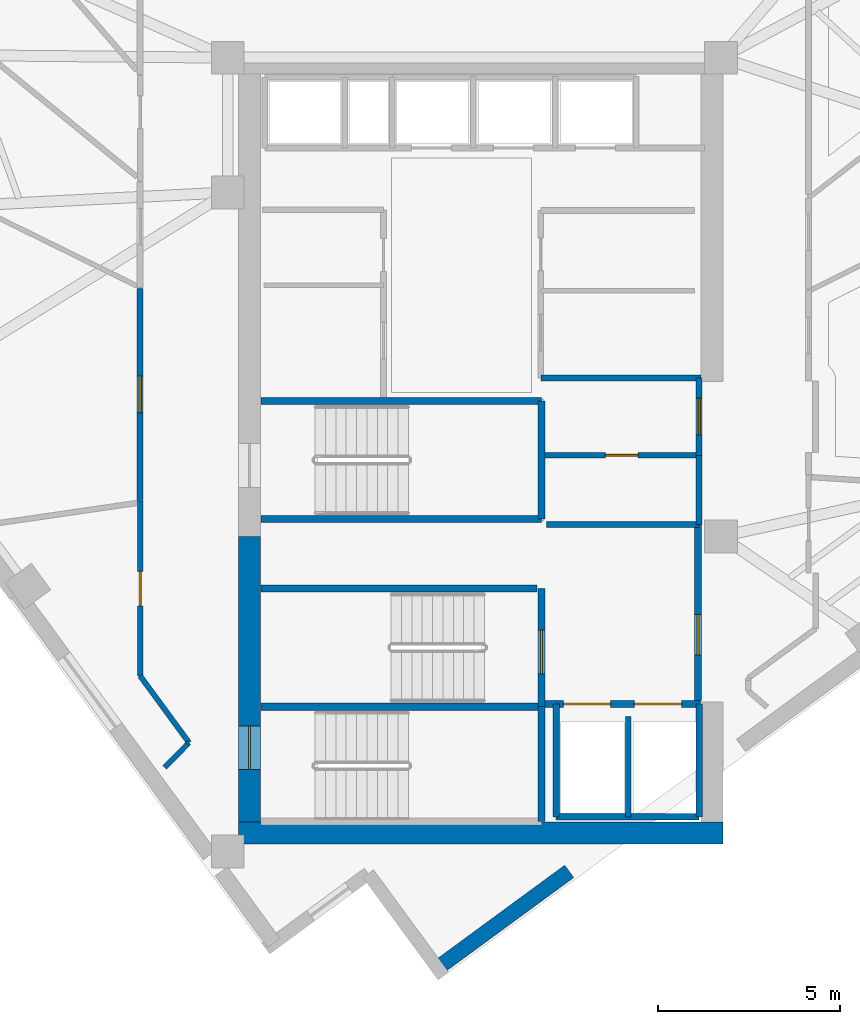
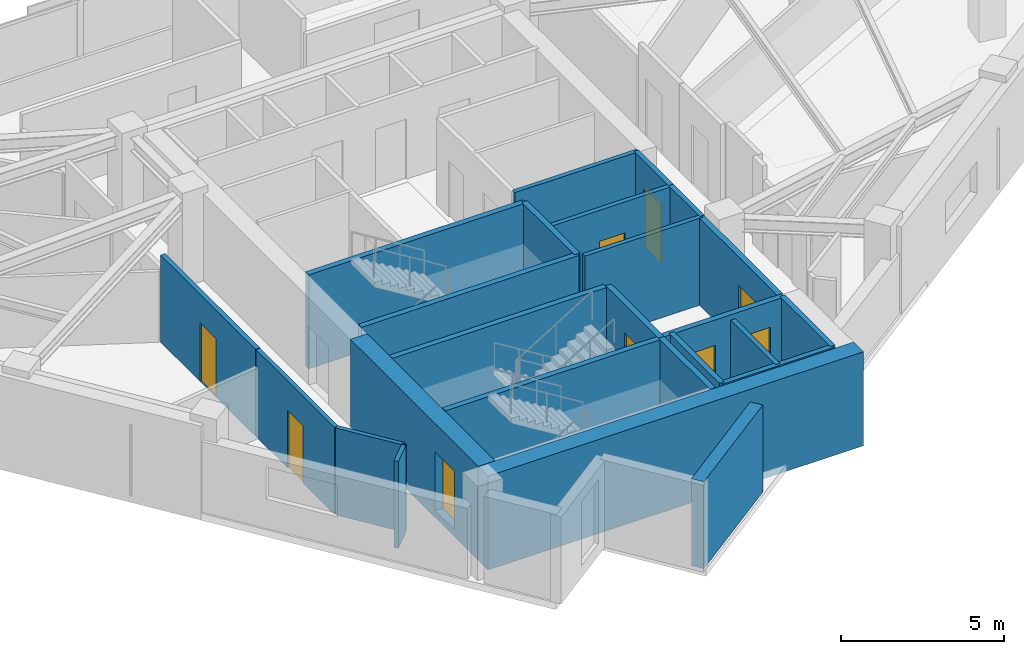
# One storey, part 8 of 13: 26 walls, 9 doors, 9 openings.
"""IFC4 building model written with IfcOpenShell, lengths in metres."""

from ifc_helpers import new_model, si_unit, direction, frame, frame_2d, origin, place, context, subcontext, project, spatial, rectangle, extrude, material, layer, layer_set, type_object, element, fill, save


model = new_model("IFC4")

# Units and contexts
model_context = context("Model", 3, precision=1e-05, world=origin(), true_north=direction((0.0, 1.0)))
body_context = subcontext(model_context, "Body", "Model", "MODEL_VIEW")
ifc_project = project(units=[si_unit("LENGTHUNIT", "METRE"), si_unit("AREAUNIT", "SQUARE_METRE"), si_unit("VOLUMEUNIT", "CUBIC_METRE"), si_unit("PLANEANGLEUNIT", "RADIAN"), si_unit("MASSUNIT", "GRAM", prefix="KILO")], contexts=[model_context])

# Site, building, storey
site_placement = place(None, origin())
site = spatial("IfcSite", under=ifc_project, at=site_placement, CompositionType="ELEMENT")
building_placement = place(site_placement, origin())
building = spatial("IfcBuilding", under=site, at=building_placement, Name="Narakoshi Arena Tower", CompositionType="ELEMENT")
storey_placement = place(building_placement, frame((0.0, 0.0, 243.139892578125)))
storey = spatial("IfcBuildingStorey", under=building, at=storey_placement, Name="L66", CompositionType="ELEMENT", Elevation=243.139892578125)

# Wall, opening, door
ifc_material_1 = material(Name="Concrete C50/60", Category="concrete")
ifc_layer_1 = layer(ifc_material_1, 0.60009765625)
ifc_layer_set_1 = layer_set([ifc_layer_1], Name="Concrete C50/60")
wall_type_1 = type_object("IfcWallType", Name="WL-CORE-600", PredefinedType="SHEAR", material=ifc_layer_set_1)
wall_1_placement = place(storey_placement, frame((72.60009765625, 35.5, -0.260009765625), z_axis=(0.0, 0.0, 1.0), x_axis=(0.0, 1.0, 0.0)))
wall_1 = element("IfcWall", 1, at=wall_1_placement, inside=storey, type_object=wall_type_1, Name="L66 Central Core Shear Wall CW-APX-W", PredefinedType="SHEAR", context=body_context, shape_type="SweptSolid", body=[
    extrude(rectangle(XDim=7.85009765625, YDim=0.60009765625, at=frame_2d((3.925048828125, 0.0))), origin(), (0.0, 0.0, 1.0), 3.52001953125),
])
opening_1_placement = place(wall_1_placement, frame((1.449951171875, 0.0, 0.260009765625)))
opening_1 = element("IfcOpeningElement", 2, at=opening_1_placement, cuts=wall_1, Name="Opening D-03", PredefinedType="OPENING", context=body_context, shape_type="SweptSolid", body=[
    extrude(rectangle(XDim=1.199951171875, YDim=2.199951171875, at=frame_2d((0.60009765625, 1.10009765625))), frame((0.0, 0.31005859375, 0.0), z_axis=(0.0, -1.0, 0.0), x_axis=(1.0, 0.0, 0.0)), (0.0, 0.0, 1.0), 0.6201171875),
])
ifc_material_2 = material(Name="Painted galvanized steel", Category="steel")
door_type_1 = type_object("IfcDoorType", Name="DR-STR-1200", OperationType="NOTDEFINED", PredefinedType="USERDEFINED", material=ifc_material_2)
door_1_placement = place(opening_1_placement, frame((1.199951171875, 0.0, 0.0), z_axis=(0.0, 0.0, 1.0), x_axis=(-1.0, 0.0, 0.0)))
door_1 = element("IfcDoor", 3, at=door_1_placement, inside=storey, type_object=door_type_1, Name="DR-L66-001", ObjectType="EXITDOOR", OperationType="SINGLE_SWING_LEFT", OverallHeight=2.199951171875, OverallWidth=1.199951171875, PredefinedType="USERDEFINED", context=body_context, shape_type="SweptSolid", body=[
    extrude(rectangle(XDim=1.199951171875, YDim=2.199951171875, at=frame_2d((0.60009765625, 1.10009765625))), frame((0.0, 0.02490234375, 0.0), z_axis=(0.0, -1.0, 0.0), x_axis=(1.0, 0.0, 0.0)), (0.0, 0.0, 1.0), 0.050048828125),
])
fill(opening_1, door_1)

# Wall
wall_2_placement = place(storey_placement, frame((72.300048828125, 35.199951171875, -0.260009765625), z_axis=(0.0, 0.0, 1.0), x_axis=(1.0, 0.0, 0.0)))
element("IfcWall", 4, at=wall_2_placement, inside=storey, type_object=wall_type_1, Name="L66 Central Core Shear Wall CW-APX-S", PredefinedType="SHEAR", context=body_context, shape_type="SweptSolid", body=[
    extrude(rectangle(XDim=13.300048828125, YDim=0.60009765625, at=frame_2d((6.64990234375, 0.0))), origin(), (0.0, 0.0, 1.0), 3.52001953125),
])

# Wall, opening, door
ifc_material_3 = material(Name="Gypsum plasterboard fire-rated partition")
ifc_layer_2 = layer(ifc_material_3, 0.1650390625)
ifc_layer_set_2 = layer_set([ifc_layer_2], Name="Gypsum plasterboard fire-rated partition")
wall_type_2 = type_object("IfcWallType", Name="WL-CORR-165", PredefinedType="PARTITIONING", material=ifc_layer_set_2)
wall_3_placement = place(storey_placement, frame((84.949951171875, 45.580078125, 0.0), z_axis=(0.0, 0.0, 1.0), x_axis=(0.0, 1.0, 0.0)))
wall_3 = element("IfcWall", 5, at=wall_3_placement, inside=storey, type_object=wall_type_2, Name="L66 Core Wall CPAS-E", PredefinedType="PARTITIONING", context=body_context, shape_type="SweptSolid", body=[
    extrude(rectangle(XDim=2.119873046875, YDim=0.1650390625, at=frame_2d((1.06005859375, 0.0))), origin(), (0.0, 0.0, 1.0), 3.260009765625),
])
opening_2_placement = place(wall_3_placement, frame((0.56005859375, 0.0, 0.0)))
opening_2 = element("IfcOpeningElement", 6, at=opening_2_placement, cuts=wall_3, Name="Opening D-06", PredefinedType="OPENING", context=body_context, shape_type="SweptSolid", body=[
    extrude(rectangle(XDim=1.0, YDim=2.199951171875, at=frame_2d((0.5, 1.10009765625))), frame((0.0, 0.092529296875, 0.0), z_axis=(0.0, -1.0, 0.0), x_axis=(1.0, 0.0, 0.0)), (0.0, 0.0, 1.0), 0.18505859375),
])
ifc_material_4 = material(Name="Stained oak solid-core timber", Category="wood")
door_type_2 = type_object("IfcDoorType", Name="DR-OFF-1000", OperationType="NOTDEFINED", PredefinedType="DOOR", material=ifc_material_4)
door_2_placement = place(opening_2_placement, frame((1.0, 0.0, 0.0), z_axis=(0.0, 0.0, 1.0), x_axis=(-1.0, 0.0, 0.0)))
door_2 = element("IfcDoor", 7, at=door_2_placement, inside=storey, type_object=door_type_2, Name="DR-L66-007", OperationType="SINGLE_SWING_LEFT", OverallHeight=2.199951171875, OverallWidth=1.0, PredefinedType="DOOR", context=body_context, shape_type="SweptSolid", body=[
    extrude(rectangle(XDim=1.0, YDim=2.199951171875, at=frame_2d((0.5, 1.10009765625))), frame((0.0, 0.02490234375, 0.0), z_axis=(0.0, -1.0, 0.0), x_axis=(1.0, 0.0, 0.0)), (0.0, 0.0, 1.0), 0.050048828125),
])
fill(opening_2, door_2)

wall_4_placement = place(storey_placement, frame((69.594482421875, 50.16064453125, 0.0), z_axis=(0.0, 0.0, 1.0), x_axis=(0.0, -1.0, 0.0)))
wall_4 = element("IfcWall", 8, at=wall_4_placement, inside=storey, type_object=wall_type_2, Name="L66 Corridor Partition 09-1", PredefinedType="PARTITIONING", context=body_context, shape_type="SweptSolid", body=[
    extrude(rectangle(XDim=5.817626953125, YDim=0.1650390625, at=frame_2d((2.90869140625, 0.0))), origin(), (0.0, 0.0, 1.0), 3.260009765625),
])
opening_3_placement = place(wall_4_placement, frame((2.408935546875, 0.0, 0.0)))
opening_3 = element("IfcOpeningElement", 9, at=opening_3_placement, cuts=wall_4, Name="Opening D-06", PredefinedType="OPENING", context=body_context, shape_type="SweptSolid", body=[
    extrude(rectangle(XDim=1.0, YDim=2.199951171875, at=frame_2d((0.5, 1.10009765625))), frame((0.0, 0.092529296875, 0.0), z_axis=(0.0, -1.0, 0.0), x_axis=(1.0, 0.0, 0.0)), (0.0, 0.0, 1.0), 0.18505859375),
])
door_3_placement = place(opening_3_placement, frame((1.0, 0.0, 0.0), z_axis=(0.0, 0.0, 1.0), x_axis=(-1.0, 0.0, 0.0)))
door_3 = element("IfcDoor", 10, at=door_3_placement, inside=storey, type_object=door_type_2, Name="DR-L66-024", OperationType="SINGLE_SWING_RIGHT", OverallHeight=2.199951171875, OverallWidth=1.0, PredefinedType="DOOR", context=body_context, shape_type="SweptSolid", body=[
    extrude(rectangle(XDim=1.0, YDim=2.199951171875, at=frame_2d((0.5, 1.10009765625))), frame((0.0, 0.02490234375, 0.0), z_axis=(0.0, -1.0, 0.0), x_axis=(1.0, 0.0, 0.0)), (0.0, 0.0, 1.0), 0.050048828125),
])
fill(opening_3, door_3)

# Walls
ifc_material_5 = material(Name="Precast concrete C45/55", Category="concrete")
ifc_layer_3 = layer(ifc_material_5, 0.419921875)
ifc_layer_set_3 = layer_set([ifc_layer_3], Name="Precast concrete C45/55")
wall_type_3 = type_object("IfcWallType", Name="WL-POD-420", PredefinedType="SOLIDWALL", material=ifc_layer_set_3)
wall_5_placement = place(storey_placement, frame((77.760009765625, 31.4951171875, 0.0), z_axis=(0.0, 0.0, 1.0), x_axis=(0.806458583304, 0.591290582891, 0.0)))
element("IfcWall", 11, at=wall_5_placement, inside=storey, type_object=wall_type_3, Name="L66 Architectural Concrete Facade Wall LEGA-1", PredefinedType="SOLIDWALL", context=body_context, shape_type="SweptSolid", body=[
    extrude(rectangle(XDim=4.48974609375, YDim=0.419921875, at=frame_2d((2.244873046875, 0.0))), origin(), (0.0, 0.0, 1.0), 3.260009765625),
])
ifc_material_6 = material(Name="Concrete C40/50", Category="concrete")
ifc_layer_4 = layer(ifc_material_6, 0.280029296875)
ifc_layer_set_4 = layer_set([ifc_layer_4], Name="Concrete C40/50")
wall_type_4 = type_object("IfcWallType", Name="WL-RISER-280", PredefinedType="PLUMBINGWALL", material=ifc_layer_set_4)
wall_6_placement = place(storey_placement, frame((83.0, 35.64990234375, 0.0), z_axis=(0.0, 0.0, 1.0), x_axis=(0.0, 1.0, 0.0)))
element("IfcWall", 12, at=wall_6_placement, inside=storey, type_object=wall_type_4, Name="L66 Core Wall FF-DIV", PredefinedType="PLUMBINGWALL", context=body_context, shape_type="SweptSolid", body=[
    extrude(rectangle(XDim=2.75, YDim=0.159912109375, at=frame_2d((1.375, 0.0))), origin(), (0.0, 0.0, 1.0), 3.260009765625),
])
wall_7_placement = place(storey_placement, frame((84.949951171875, 43.679931640625, 0.0), z_axis=(0.0, 0.0, 1.0), x_axis=(0.0, 1.0, 0.0)))
element("IfcWall", 13, at=wall_7_placement, inside=storey, type_object=wall_type_4, Name="L66 Core Wall RSR-E", PredefinedType="PLUMBINGWALL", context=body_context, shape_type="SweptSolid", body=[
    extrude(rectangle(XDim=1.900146484375, YDim=0.1650390625, at=frame_2d((0.9501953125, 0.0))), origin(), (0.0, 0.0, 1.0), 3.260009765625),
])

# Wall, opening, door
wall_8_placement = place(storey_placement, frame((80.719970703125, 45.580078125, 0.0), z_axis=(0.0, 0.0, 1.0), x_axis=(1.0, 0.0, 0.0)))
wall_8 = element("IfcWall", 14, at=wall_8_placement, inside=storey, type_object=wall_type_4, Name="L66 Core Wall RSR-N", PredefinedType="PLUMBINGWALL", context=body_context, shape_type="SweptSolid", body=[
    extrude(rectangle(XDim=4.22998046875, YDim=0.159912109375, at=frame_2d((2.114990234375, 0.0))), origin(), (0.0, 0.0, 1.0), 3.260009765625),
])
opening_4_placement = place(wall_8_placement, frame((1.64990234375, 0.0, 0.0)))
opening_4 = element("IfcOpeningElement", 15, at=opening_4_placement, cuts=wall_8, Name="Opening D-08", PredefinedType="OPENING", context=body_context, shape_type="SweptSolid", body=[
    extrude(rectangle(XDim=0.89990234375, YDim=2.10009765625, at=frame_2d((0.449951171875, 1.050048828125))), frame((0.0, 0.08984375, 0.0), z_axis=(0.0, -1.0, 0.0), x_axis=(1.0, 0.0, 0.0)), (0.0, 0.0, 1.0), 0.179931640625),
])
ifc_material_7 = material(Name="Moisture-resistant laminate timber", Category="wood")
door_type_3 = type_object("IfcDoorType", Name="DR-WC-900", OperationType="NOTDEFINED", PredefinedType="DOOR", material=ifc_material_7)
door_4_placement = place(opening_4_placement, frame((0.89990234375, 0.0, 0.0), z_axis=(0.0, 0.0, 1.0), x_axis=(-1.0, 0.0, 0.0)))
door_4 = element("IfcDoor", 16, at=door_4_placement, inside=storey, type_object=door_type_3, Name="DR-L66-008", OperationType="SINGLE_SWING_LEFT", OverallHeight=2.10009765625, OverallWidth=0.89990234375, PredefinedType="DOOR", context=body_context, shape_type="SweptSolid", body=[
    extrude(rectangle(XDim=0.89990234375, YDim=2.10009765625, at=frame_2d((0.449951171875, 1.050048828125))), frame((0.0, 0.02490234375, 0.0), z_axis=(0.0, -1.0, 0.0), x_axis=(1.0, 0.0, 0.0)), (0.0, 0.0, 1.0), 0.050048828125),
])
fill(opening_4, door_4)

# Walls
wall_9_placement = place(storey_placement, frame((80.760009765625, 43.679931640625, 0.0), z_axis=(0.0, 0.0, 1.0), x_axis=(1.0, 0.0, 0.0)))
element("IfcWall", 17, at=wall_9_placement, inside=storey, type_object=wall_type_4, Name="L66 Core Wall RSR-S", PredefinedType="PLUMBINGWALL", context=body_context, shape_type="SweptSolid", body=[
    extrude(rectangle(XDim=4.18994140625, YDim=0.159912109375, at=frame_2d((2.094970703125, 0.0))), origin(), (0.0, 0.0, 1.0), 3.260009765625),
])
ifc_layer_5 = layer(ifc_material_1, 0.35009765625)
ifc_layer_set_5 = layer_set([ifc_layer_5], Name="Concrete C50/60")
wall_type_5 = type_object("IfcWallType", Name="WL-SHAFT-350", PredefinedType="SOLIDWALL", material=ifc_layer_set_5)
wall_10_placement = place(storey_placement, frame((72.919921875, 38.675048828125, -0.260009765625), z_axis=(0.0, 0.0, 1.0), x_axis=(1.0, 0.0, 0.0)))
element("IfcWall", 18, at=wall_10_placement, inside=storey, type_object=wall_type_5, Name="L66 Core Wall ST12-DIV", PredefinedType="SOLIDWALL", context=body_context, shape_type="SweptSolid", body=[
    extrude(rectangle(XDim=7.7001953125, YDim=0.199951171875, at=frame_2d((3.85009765625, 0.0))), origin(), (0.0, 0.0, 1.0), 3.52001953125),
])
wall_11_placement = place(storey_placement, frame((80.6201171875, 35.52001953125, -0.260009765625), z_axis=(0.0, 0.0, 1.0), x_axis=(0.0, 1.0, 0.0)))
element("IfcWall", 19, at=wall_11_placement, inside=storey, type_object=wall_type_5, Name="L66 Core Wall ST1-E", PredefinedType="SOLIDWALL", context=body_context, shape_type="SweptSolid", body=[
    extrude(rectangle(XDim=3.155029296875, YDim=0.199951171875, at=frame_2d((1.57763671875, 0.0))), origin(), (0.0, 0.0, 1.0), 3.52001953125),
])

# Wall, opening, door
wall_12_placement = place(storey_placement, frame((80.6201171875, 38.675048828125, -0.260009765625), z_axis=(0.0, 0.0, 1.0), x_axis=(0.0, 1.0, 0.0)))
wall_12 = element("IfcWall", 20, at=wall_12_placement, inside=storey, type_object=wall_type_5, Name="L66 Core Wall ST2-E", PredefinedType="SOLIDWALL", context=body_context, shape_type="SweptSolid", body=[
    extrude(rectangle(XDim=3.244873046875, YDim=0.199951171875, at=frame_2d((1.62255859375, 0.0))), origin(), (0.0, 0.0, 1.0), 3.52001953125),
])
opening_5_placement = place(wall_12_placement, frame((0.89990234375, 0.0, 0.260009765625)))
opening_5 = element("IfcOpeningElement", 21, at=opening_5_placement, cuts=wall_12, Name="Opening D-03", PredefinedType="OPENING", context=body_context, shape_type="SweptSolid", body=[
    extrude(rectangle(XDim=1.199951171875, YDim=2.199951171875, at=frame_2d((0.60009765625, 1.10009765625))), frame((0.0, 0.10986328125, 0.0), z_axis=(0.0, -1.0, 0.0), x_axis=(1.0, 0.0, 0.0)), (0.0, 0.0, 1.0), 0.219970703125),
])
door_5_placement = place(opening_5_placement, origin())
door_5 = element("IfcDoor", 22, at=door_5_placement, inside=storey, type_object=door_type_1, Name="DR-L66-002", ObjectType="EXITDOOR", OperationType="SINGLE_SWING_RIGHT", OverallHeight=2.199951171875, OverallWidth=1.199951171875, PredefinedType="USERDEFINED", context=body_context, shape_type="SweptSolid", body=[
    extrude(rectangle(XDim=1.199951171875, YDim=2.199951171875, at=frame_2d((0.60009765625, 1.10009765625))), frame((0.0, 0.02490234375, 0.0), z_axis=(0.0, -1.0, 0.0), x_axis=(1.0, 0.0, 0.0)), (0.0, 0.0, 1.0), 0.050048828125),
])
fill(opening_5, door_5)

# Wall, openings, doors
wall_13_placement = place(storey_placement, frame((80.719970703125, 38.75, 0.0), z_axis=(0.0, 0.0, 1.0), x_axis=(1.0, 0.0, 0.0)))
wall_13 = element("IfcWall", 23, at=wall_13_placement, inside=storey, type_object=wall_type_5, Name="L66 Core Wall FF-N", PredefinedType="SOLIDWALL", context=body_context, shape_type="SweptSolid", body=[
    extrude(rectangle(XDim=4.260009765625, YDim=0.199951171875, at=frame_2d((2.1298828125, 0.0))), origin(), (0.0, 0.0, 1.0), 3.260009765625),
])
opening_6_placement = place(wall_13_placement, frame((0.5, 0.0, 0.0)))
opening_6 = element("IfcOpeningElement", 24, at=opening_6_placement, cuts=wall_13, Name="Opening LD-02", PredefinedType="OPENING", context=body_context, shape_type="SweptSolid", body=[
    extrude(rectangle(XDim=1.300048828125, YDim=2.300048828125, at=frame_2d((0.64990234375, 1.14990234375))), frame((0.0, 0.10986328125, 0.0), z_axis=(0.0, -1.0, 0.0), x_axis=(1.0, 0.0, 0.0)), (0.0, 0.0, 1.0), 0.219970703125),
])
opening_7_placement = place(wall_13_placement, frame((2.449951171875, 0.0, 0.0)))
opening_7 = element("IfcOpeningElement", 25, at=opening_7_placement, cuts=wall_13, Name="Opening LD-02", PredefinedType="OPENING", context=body_context, shape_type="SweptSolid", body=[
    extrude(rectangle(XDim=1.300048828125, YDim=2.300048828125, at=frame_2d((0.64990234375, 1.14990234375))), frame((0.0, 0.10986328125, 0.0), z_axis=(0.0, -1.0, 0.0), x_axis=(1.0, 0.0, 0.0)), (0.0, 0.0, 1.0), 0.219970703125),
])
ifc_material_8 = material(Name="Brushed bronze stainless steel", Category="steel")
door_type_4 = type_object("IfcDoorType", Name="DR-LFT-1300", OperationType="DOUBLE_DOOR_SLIDING", PredefinedType="DOOR", material=ifc_material_8)
door_6_placement = place(opening_6_placement, origin())
door_6 = element("IfcDoor", 26, at=door_6_placement, inside=storey, type_object=door_type_4, Name="DR-L66-003", OperationType="DOUBLE_DOOR_SLIDING", OverallHeight=2.300048828125, OverallWidth=1.300048828125, PredefinedType="DOOR", context=body_context, shape_type="SweptSolid", body=[
    extrude(rectangle(XDim=1.300048828125, YDim=2.300048828125, at=frame_2d((0.64990234375, 1.14990234375))), frame((0.0, 0.02490234375, 0.0), z_axis=(0.0, -1.0, 0.0), x_axis=(1.0, 0.0, 0.0)), (0.0, 0.0, 1.0), 0.050048828125),
])
fill(opening_6, door_6)
door_7_placement = place(opening_7_placement, origin())
door_7 = element("IfcDoor", 27, at=door_7_placement, inside=storey, type_object=door_type_4, Name="DR-L66-004", OperationType="DOUBLE_DOOR_SLIDING", OverallHeight=2.300048828125, OverallWidth=1.300048828125, PredefinedType="DOOR", context=body_context, shape_type="SweptSolid", body=[
    extrude(rectangle(XDim=1.300048828125, YDim=2.300048828125, at=frame_2d((0.64990234375, 1.14990234375))), frame((0.0, 0.02490234375, 0.0), z_axis=(0.0, -1.0, 0.0), x_axis=(1.0, 0.0, 0.0)), (0.0, 0.0, 1.0), 0.050048828125),
])
fill(opening_7, door_7)

# Walls
for number, where, z_axis, x_axis, name in (
    (28, (84.949951171875, 35.64990234375, 0.0), (0.0, 0.0, 1.0), (0.0, 1.0, 0.0), "L66 Core Wall FF-E"),
    (29, (81.02001953125, 35.64990234375, 0.0), (0.0, 0.0, 1.0), (0.0, 1.0, 0.0), "L66 Core Wall FF-W"),
):
    element("IfcWall", number, at=place(storey_placement, frame(where, z_axis=z_axis, x_axis=x_axis)), inside=storey, type_object=wall_type_5, Name=name, PredefinedType="SOLIDWALL", context=body_context, shape_type="SweptSolid", body=[
        extrude(rectangle(XDim=3.10009765625, YDim=0.179931640625, at=frame_2d((1.550048828125, 0.0))), origin(), (0.0, 0.0, 1.0), 3.260009765625),
    ])
wall_14_placement = place(storey_placement, frame((81.02001953125, 35.64990234375, 0.0), z_axis=(0.0, 0.0, 1.0), x_axis=(1.0, 0.0, 0.0)))
element("IfcWall", 30, at=wall_14_placement, inside=storey, type_object=wall_type_5, Name="L66 Core Wall FF-S", PredefinedType="SOLIDWALL", context=body_context, shape_type="SweptSolid", body=[
    extrude(rectangle(XDim=3.929931640625, YDim=0.179931640625, at=frame_2d((1.96484375, 0.0))), origin(), (0.0, 0.0, 1.0), 3.260009765625),
])

# Wall, opening, door
wall_15_placement = place(storey_placement, frame((84.919921875, 38.85009765625, 0.0), z_axis=(0.0, 0.0, 1.0), x_axis=(0.0, 1.0, 0.0)))
wall_15 = element("IfcWall", 31, at=wall_15_placement, inside=storey, type_object=wall_type_5, Name="L66 Core Wall FFLOB-E", PredefinedType="SOLIDWALL", context=body_context, shape_type="SweptSolid", body=[
    extrude(rectangle(XDim=4.829833984375, YDim=0.199951171875, at=frame_2d((2.4150390625, 0.0))), origin(), (0.0, 0.0, 1.0), 3.260009765625),
])
opening_8_placement = place(wall_15_placement, frame((1.25, 0.0, 0.0)))
opening_8 = element("IfcOpeningElement", 32, at=opening_8_placement, cuts=wall_15, Name="Opening D-04", PredefinedType="OPENING", context=body_context, shape_type="SweptSolid", body=[
    extrude(rectangle(XDim=1.10009765625, YDim=2.199951171875, at=frame_2d((0.550048828125, 1.10009765625))), frame((0.0, 0.10986328125, 0.0), z_axis=(0.0, -1.0, 0.0), x_axis=(1.0, 0.0, 0.0)), (0.0, 0.0, 1.0), 0.219970703125),
])
door_type_5 = type_object("IfcDoorType", Name="DR-FFL-1100", OperationType="NOTDEFINED", PredefinedType="DOOR", material=ifc_material_2)
door_8_placement = place(opening_8_placement, frame((1.10009765625, 0.0, 0.0), z_axis=(0.0, 0.0, 1.0), x_axis=(-1.0, 0.0, 0.0)))
door_8 = element("IfcDoor", 33, at=door_8_placement, inside=storey, type_object=door_type_5, Name="DR-L66-005", OperationType="SINGLE_SWING_RIGHT", OverallHeight=2.199951171875, OverallWidth=1.10009765625, PredefinedType="DOOR", context=body_context, shape_type="SweptSolid", body=[
    extrude(rectangle(XDim=1.10009765625, YDim=2.199951171875, at=frame_2d((0.550048828125, 1.10009765625))), frame((0.0, 0.02490234375, 0.0), z_axis=(0.0, -1.0, 0.0), x_axis=(1.0, 0.0, 0.0)), (0.0, 0.0, 1.0), 0.050048828125),
])
fill(opening_8, door_8)

# Walls
wall_16_placement = place(storey_placement, frame((72.919921875, 41.919921875, -0.260009765625), z_axis=(0.0, 0.0, 1.0), x_axis=(1.0, 0.0, 0.0)))
element("IfcWall", 34, at=wall_16_placement, inside=storey, type_object=wall_type_5, Name="L66 Core Wall ST2-N", PredefinedType="SOLIDWALL", context=body_context, shape_type="SweptSolid", body=[
    extrude(rectangle(XDim=7.580078125, YDim=0.199951171875, at=frame_2d((3.7900390625, 0.0))), origin(), (0.0, 0.0, 1.0), 3.52001953125),
])
for number, where, z_axis, x_axis, name in (
    (35, (72.919921875, 43.830078125, -0.260009765625), (0.0, 0.0, 1.0), (1.0, 0.0, 0.0), "L66 Core Wall ST3-S"),
    (36, (72.919921875, 47.070068359375, -0.260009765625), (0.0, 0.0, 1.0), (1.0, 0.0, 0.0), "L66 Core Wall ST3-N"),
):
    element("IfcWall", number, at=place(storey_placement, frame(where, z_axis=z_axis, x_axis=x_axis)), inside=storey, type_object=wall_type_5, Name=name, PredefinedType="SOLIDWALL", context=body_context, shape_type="SweptSolid", body=[
        extrude(rectangle(XDim=7.7001953125, YDim=0.199951171875, at=frame_2d((3.85009765625, 0.0))), origin(), (0.0, 0.0, 1.0), 3.52001953125),
    ])
wall_17_placement = place(storey_placement, frame((80.6201171875, 43.830078125, -0.260009765625), z_axis=(0.0, 0.0, 1.0), x_axis=(0.0, 1.0, 0.0)))
element("IfcWall", 37, at=wall_17_placement, inside=storey, type_object=wall_type_5, Name="L66 Core Wall ST3-E", PredefinedType="SOLIDWALL", context=body_context, shape_type="SweptSolid", body=[
    extrude(rectangle(XDim=3.239990234375, YDim=0.199951171875, at=frame_2d((1.6201171875, 0.0))), origin(), (0.0, 0.0, 1.0), 3.52001953125),
])
wall_18_placement = place(storey_placement, frame((80.60009765625, 47.699951171875, 0.0), z_axis=(0.0, 0.0, 1.0), x_axis=(1.0, 0.0, 0.0)))
element("IfcWall", 38, at=wall_18_placement, inside=storey, type_object=wall_type_5, Name="L66 Core Wall MR-S", PredefinedType="SOLIDWALL", context=body_context, shape_type="SweptSolid", body=[
    extrude(rectangle(XDim=4.39990234375, YDim=0.159912109375, at=frame_2d((2.199951171875, 0.0))), origin(), (0.0, 0.0, 1.0), 3.260009765625),
])

# Wall, opening, door
ifc_material_9 = material(Name="Moisture-resistant cement-board partition")
ifc_layer_6 = layer(ifc_material_9, 0.14501953125)
ifc_layer_set_6 = layer_set([ifc_layer_6], Name="Moisture-resistant cement-board partition")
wall_type_6 = type_object("IfcWallType", Name="WL-WET-145", PredefinedType="PARTITIONING", material=ifc_layer_set_6)
wall_19_placement = place(storey_placement, frame((69.594482421875, 44.318603515625, 0.0), z_axis=(0.0, 0.0, 1.0), x_axis=(0.0, -1.0, 0.0)))
wall_19 = element("IfcWall", 39, at=wall_19_placement, inside=storey, type_object=wall_type_6, Name="L66 Corridor Partition 01-1", PredefinedType="PARTITIONING", context=body_context, shape_type="SweptSolid", body=[
    extrude(rectangle(XDim=4.799560546875, YDim=0.14501953125, at=frame_2d((2.39990234375, 0.0))), origin(), (0.0, 0.0, 1.0), 3.260009765625),
])
opening_9_placement = place(wall_19_placement, frame((1.9248046875, 0.0, 0.0)))
opening_9 = element("IfcOpeningElement", 40, at=opening_9_placement, cuts=wall_19, Name="Opening D-07", PredefinedType="OPENING", context=body_context, shape_type="SweptSolid", body=[
    extrude(rectangle(XDim=0.949951171875, YDim=2.14990234375, at=frame_2d((0.47509765625, 1.074951171875))), frame((0.0, 0.08251953125, 0.0), z_axis=(0.0, -1.0, 0.0), x_axis=(1.0, 0.0, 0.0)), (0.0, 0.0, 1.0), 0.1650390625),
])
door_type_6 = type_object("IfcDoorType", Name="DR-ACC-950", OperationType="NOTDEFINED", PredefinedType="DOOR", material=ifc_material_4)
door_9_placement = place(opening_9_placement, frame((0.949951171875, 0.0, 0.0), z_axis=(0.0, 0.0, 1.0), x_axis=(-1.0, 0.0, 0.0)))
door_9 = element("IfcDoor", 41, at=door_9_placement, inside=storey, type_object=door_type_6, Name="DR-L66-016", OperationType="SINGLE_SWING_LEFT", OverallHeight=2.14990234375, OverallWidth=0.949951171875, PredefinedType="DOOR", context=body_context, shape_type="SweptSolid", body=[
    extrude(rectangle(XDim=0.949951171875, YDim=2.14990234375, at=frame_2d((0.47509765625, 1.074951171875))), frame((0.0, 0.02490234375, 0.0), z_axis=(0.0, -1.0, 0.0), x_axis=(1.0, 0.0, 0.0)), (0.0, 0.0, 1.0), 0.050048828125),
])
fill(opening_9, door_9)

# Walls
wall_20_placement = place(storey_placement, frame((69.594482421875, 39.51904296875, 0.0), z_axis=(0.0, 0.0, 1.0), x_axis=(0.591405579401, -0.806374255946, 0.0)))
element("IfcWall", 42, at=wall_20_placement, inside=storey, type_object=wall_type_6, Name="L66 Corridor Partition 01-2", PredefinedType="PARTITIONING", context=body_context, shape_type="SweptSolid", body=[
    extrude(rectangle(XDim=2.2724609375, YDim=0.14501953125, at=frame_2d((1.13623046875, 0.0))), origin(), (0.0, 0.0, 1.0), 3.260009765625),
])
wall_21_placement = place(storey_placement, frame((70.9384765625, 37.6865234375, 0.0), z_axis=(0.0, 0.0, 1.0), x_axis=(-0.705100816582, -0.709107071221, 0.0)))
element("IfcWall", 43, at=wall_21_placement, inside=storey, type_object=wall_type_6, Name="L66 Corridor Partition 01-3", PredefinedType="PARTITIONING", context=body_context, shape_type="SweptSolid", body=[
    extrude(rectangle(XDim=0.06103515625, YDim=0.14501953125, at=frame_2d((0.030517578125, 0.0))), origin(), (0.0, 0.0, 1.0), 3.260009765625),
])
wall_22_placement = place(storey_placement, frame((70.8955078125, 37.643310546875, 0.0), z_axis=(0.0, 0.0, 1.0), x_axis=(-0.703965648178, -0.710234022126, 0.0)))
element("IfcWall", 44, at=wall_22_placement, inside=storey, type_object=wall_type_6, Name="L66 Room Enclosure Partition 01-1", PredefinedType="PARTITIONING", context=body_context, shape_type="SweptSolid", body=[
    extrude(rectangle(XDim=0.895751953125, YDim=0.14501953125, at=frame_2d((0.44775390625, 0.0))), origin(), (0.0, 0.0, 1.0), 3.260009765625),
])

save(model, "model.ifc")
